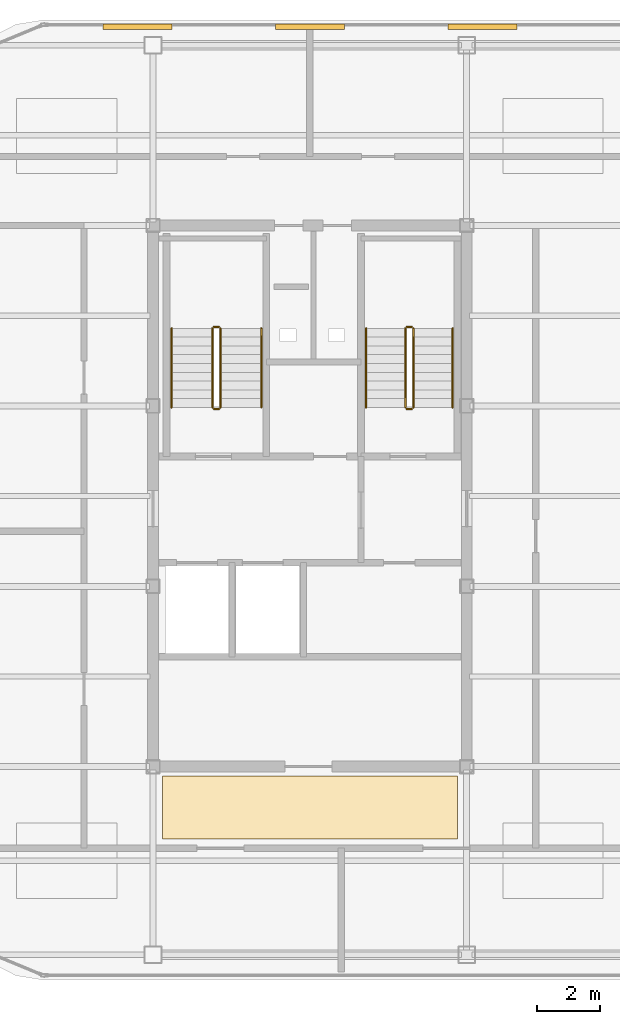
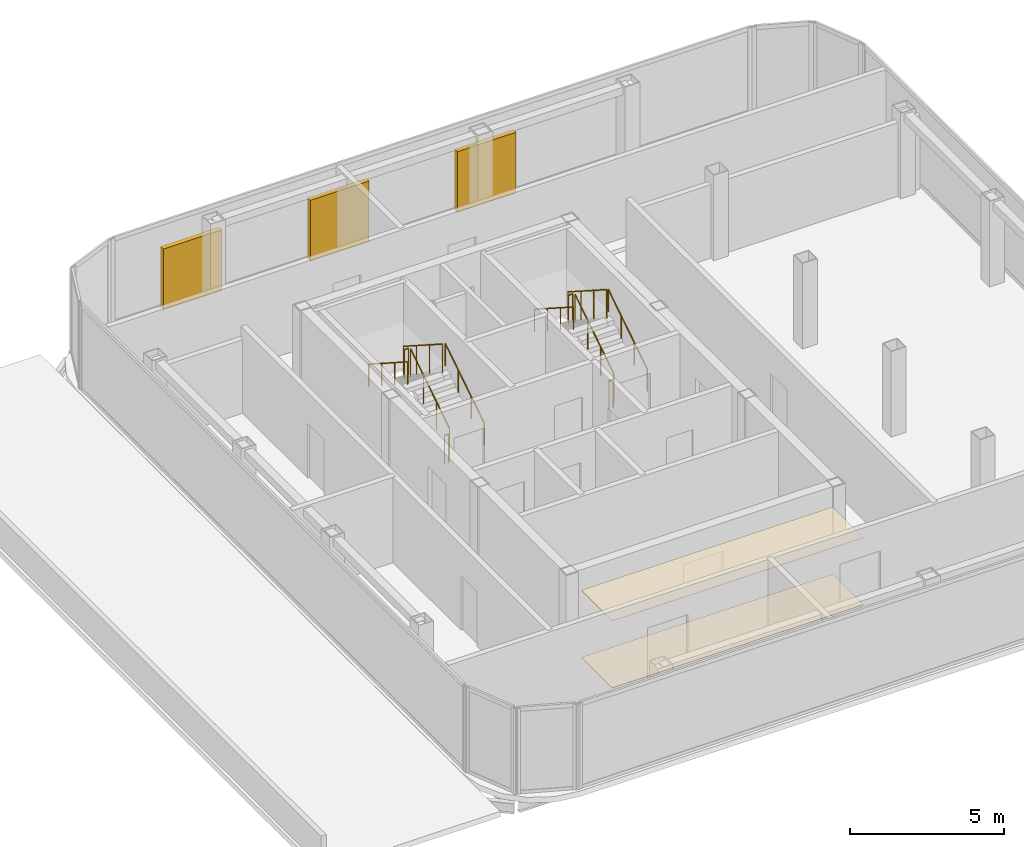
# One storey, part 11 of 11: 12 railings, 3 shading devices, 2 coverings.
"""IFC4 building model written with IfcOpenShell, lengths in metres."""

from ifc_helpers import new_model, si_unit, direction, frame, origin, origin_2d, place, context, subcontext, project, spatial, polyline, rectangle, circle, outline, extrude, source, transform, mapped, material, layer, layer_set, type_object, element, save


model = new_model("IFC4")

# Units and contexts
model_context = context("Model", 3, precision=1e-05, world=origin(), true_north=direction((0.0, 1.0)))
body_context = subcontext(model_context, "Body", "Model", "MODEL_VIEW")
ifc_project = project(units=[si_unit("LENGTHUNIT", "METRE"), si_unit("AREAUNIT", "SQUARE_METRE"), si_unit("VOLUMEUNIT", "CUBIC_METRE"), si_unit("PLANEANGLEUNIT", "RADIAN"), si_unit("MASSUNIT", "GRAM", prefix="KILO")], contexts=[model_context])

# Site, building, storey
site_placement = place(None, origin())
site = spatial("IfcSite", under=ifc_project, at=site_placement, CompositionType="ELEMENT")
building_placement = place(site_placement, origin())
building = spatial("IfcBuilding", under=site, at=building_placement, Name="Kolveth Station Tower", CompositionType="ELEMENT")
storey_placement = place(building_placement, frame((0.0, 0.0, 278.5)))
storey = spatial("IfcBuildingStorey", under=building, at=storey_placement, Name="L80", CompositionType="ELEMENT", Elevation=278.5)

# Coverings
ifc_material_1 = material(Name="Acoustic mineral-fibre ceiling tile")
ifc_layer_1 = layer(ifc_material_1, 0.02490234375)
ifc_layer_set_1 = layer_set([ifc_layer_1], Name="Acoustic mineral-fibre ceiling tile")
covering_type_1 = type_object("IfcCoveringType", Name="Ceil_CL1", PredefinedType="CEILING", material=ifc_layer_set_1)
covering_1_placement = place(storey_placement, frame((0.0, 0.0, 2.64990234375)))
element("IfcCovering", 1, at=covering_1_placement, inside=storey, type_object=covering_type_1, Name="L80 Lift Lobby Suspended Ceiling", PredefinedType="CEILING", context=body_context, shape_type="SweptSolid", body=[
    extrude(outline(polyline([(18.800048828125, 9.199951171875), (28.199951171875, 9.199951171875), (28.199951171875, 11.199951171875), (18.800048828125, 11.199951171875), (18.800048828125, 9.199951171875)])), origin(), (0.0, 0.0, 1.0), 0.025146484375),
])
ifc_material_2 = material(Name="Honed terrazzo flooring")
ifc_layer_2 = layer(ifc_material_2, 0.02001953125)
ifc_layer_set_2 = layer_set([ifc_layer_2], Name="Honed terrazzo flooring")
covering_type_2 = type_object("IfcCoveringType", Name="Floor_FL1", PredefinedType="FLOORING", material=ifc_layer_set_2)
covering_2_placement = place(storey_placement, origin())
element("IfcCovering", 2, at=covering_2_placement, inside=storey, type_object=covering_type_2, Name="L80 Lift Lobby Floor Finish", PredefinedType="FLOORING", context=body_context, shape_type="SweptSolid", body=[
    extrude(outline(polyline([(18.800048828125, 9.199951171875), (28.199951171875, 9.199951171875), (28.199951171875, 11.199951171875), (18.800048828125, 11.199951171875), (18.800048828125, 9.199951171875)])), origin(), (0.0, 0.0, 1.0), 0.02001953125),
])

# Railings
ifc_material_3 = material(Name="Painted Steel S355 balustrade", Category="steel")
railing_type_1 = type_object("IfcRailingType", Name="Guard_GR2", PredefinedType="BALUSTRADE", material=ifc_material_3)
railing_1_placement = place(storey_placement, frame((20.64990234375, 22.949951171875, 0.179931640625)))
element("IfcRailing", 3, at=railing_1_placement, inside=storey, type_object=railing_type_1, Name="L80 ST1 stair guard 1", PredefinedType="BALUSTRADE", context=body_context, shape_type="SweptSolid", body=[
    extrude(circle(Radius=0.02392578125, at=origin_2d()), frame((0.0, 0.0, 1.1259765625), z_axis=(0.0, 0.841162588446, 0.540782303519), x_axis=(-1.0, 0.0, 0.0)), (0.0, 0.0, 1.0), 2.995849609375),
    extrude(circle(Radius=0.02099609375, at=origin_2d()), origin(), (0.0, 0.0, 1.0), 1.101806640625),
    extrude(circle(Radius=0.02099609375, at=origin_2d()), frame((0.0, 0.840087890625, 0.5400390625)), (0.0, 0.0, 1.0), 1.101806640625),
    extrude(circle(Radius=0.02099609375, at=origin_2d()), frame((0.0, 1.679931640625, 1.080078125)), (0.0, 0.0, 1.0), 1.101806640625),
    extrude(circle(Radius=0.02099609375, at=origin_2d()), frame((0.0, 2.52001953125, 1.6201171875)), (0.0, 0.0, 1.0), 1.101806640625),
])
railing_2_placement = place(storey_placement, frame((20.60009765625, 25.52001953125, 1.800048828125)))
element("IfcRailing", 4, at=railing_2_placement, inside=storey, type_object=railing_type_1, Name="L80 ST1 stair guard 2", PredefinedType="BALUSTRADE", context=body_context, shape_type="SweptSolid", body=[
    extrude(circle(Radius=0.02392578125, at=origin_2d()), frame((0.0, 0.0, 1.1259765625), z_axis=(-1.0, 0.0, 0.0), x_axis=(0.0, -1.0, 0.0)), (0.0, 0.0, 1.0), 0.16015625),
    extrude(circle(Radius=0.02099609375, at=origin_2d()), origin(), (0.0, 0.0, 1.0), 1.101806640625),
    extrude(circle(Radius=0.02099609375, at=origin_2d()), frame((-0.16015625, 0.0, 0.0)), (0.0, 0.0, 1.0), 1.101806640625),
])
railing_3_placement = place(storey_placement, frame((20.389892578125, 25.469970703125, 1.97998046875)))
element("IfcRailing", 5, at=railing_3_placement, inside=storey, type_object=railing_type_1, Name="L80 ST1 stair guard 3", PredefinedType="BALUSTRADE", context=body_context, shape_type="SweptSolid", body=[
    extrude(circle(Radius=0.02392578125, at=origin_2d()), frame((0.0, 0.0, 1.1259765625), z_axis=(0.0, -0.841162588446, 0.540782303519), x_axis=(1.0, 0.0, 0.0)), (0.0, 0.0, 1.0), 2.995849609375),
    extrude(circle(Radius=0.02099609375, at=origin_2d()), origin(), (0.0, 0.0, 1.0), 1.101806640625),
    extrude(circle(Radius=0.02099609375, at=origin_2d()), frame((0.0, -0.840087890625, 0.5400390625)), (0.0, 0.0, 1.0), 1.101806640625),
    extrude(circle(Radius=0.02099609375, at=origin_2d()), frame((0.0, -1.679931640625, 1.080078125)), (0.0, 0.0, 1.0), 1.101806640625),
    extrude(circle(Radius=0.02099609375, at=origin_2d()), frame((0.0, -2.52001953125, 1.6201171875)), (0.0, 0.0, 1.0), 1.101806640625),
])
railing_4_placement = place(storey_placement, frame((20.60009765625, 22.89990234375, 0.0)))
element("IfcRailing", 6, at=railing_4_placement, inside=storey, type_object=railing_type_1, Name="L80 ST1 stair guard 4", PredefinedType="BALUSTRADE", context=body_context, shape_type="SweptSolid", body=[
    extrude(circle(Radius=0.02392578125, at=origin_2d()), frame((0.0, 0.0, 1.1259765625), z_axis=(-1.0, 0.0, 0.0), x_axis=(0.0, -1.0, 0.0)), (0.0, 0.0, 1.0), 0.16015625),
    extrude(circle(Radius=0.02099609375, at=origin_2d()), origin(), (0.0, 0.0, 1.0), 1.101806640625),
    extrude(circle(Radius=0.02099609375, at=origin_2d()), frame((-0.16015625, 0.0, 0.0)), (0.0, 0.0, 1.0), 1.101806640625),
])
railing_5_placement = place(storey_placement, frame((26.800048828125, 22.949951171875, 0.179931640625)))
element("IfcRailing", 7, at=railing_5_placement, inside=storey, type_object=railing_type_1, Name="L80 ST2 stair guard 1", PredefinedType="BALUSTRADE", context=body_context, shape_type="SweptSolid", body=[
    extrude(circle(Radius=0.02392578125, at=origin_2d()), frame((0.0, 0.0, 1.1259765625), z_axis=(0.0, 0.841162588446, 0.540782303519), x_axis=(-1.0, 0.0, 0.0)), (0.0, 0.0, 1.0), 2.995849609375),
    extrude(circle(Radius=0.02099609375, at=origin_2d()), origin(), (0.0, 0.0, 1.0), 1.101806640625),
    extrude(circle(Radius=0.02099609375, at=origin_2d()), frame((0.0, 0.840087890625, 0.5400390625)), (0.0, 0.0, 1.0), 1.101806640625),
    extrude(circle(Radius=0.02099609375, at=origin_2d()), frame((0.0, 1.679931640625, 1.080078125)), (0.0, 0.0, 1.0), 1.101806640625),
    extrude(circle(Radius=0.02099609375, at=origin_2d()), frame((0.0, 2.52001953125, 1.6201171875)), (0.0, 0.0, 1.0), 1.101806640625),
])
railing_6_placement = place(storey_placement, frame((26.75, 25.52001953125, 1.800048828125)))
element("IfcRailing", 8, at=railing_6_placement, inside=storey, type_object=railing_type_1, Name="L80 ST2 stair guard 2", PredefinedType="BALUSTRADE", context=body_context, shape_type="SweptSolid", body=[
    extrude(circle(Radius=0.02392578125, at=origin_2d()), frame((0.0, 0.0, 1.1259765625), z_axis=(-1.0, 0.0, 0.0), x_axis=(0.0, -1.0, 0.0)), (0.0, 0.0, 1.0), 0.159912109375),
    extrude(circle(Radius=0.02099609375, at=origin_2d()), origin(), (0.0, 0.0, 1.0), 1.101806640625),
    extrude(circle(Radius=0.02099609375, at=origin_2d()), frame((-0.159912109375, 0.0, 0.0)), (0.0, 0.0, 1.0), 1.101806640625),
])
railing_7_placement = place(storey_placement, frame((26.5400390625, 25.469970703125, 1.97998046875)))
element("IfcRailing", 9, at=railing_7_placement, inside=storey, type_object=railing_type_1, Name="L80 ST2 stair guard 3", PredefinedType="BALUSTRADE", context=body_context, shape_type="SweptSolid", body=[
    extrude(circle(Radius=0.02392578125, at=origin_2d()), frame((0.0, 0.0, 1.1259765625), z_axis=(0.0, -0.841162588446, 0.540782303519), x_axis=(1.0, 0.0, 0.0)), (0.0, 0.0, 1.0), 2.995849609375),
    extrude(circle(Radius=0.02099609375, at=origin_2d()), origin(), (0.0, 0.0, 1.0), 1.101806640625),
    extrude(circle(Radius=0.02099609375, at=origin_2d()), frame((0.0, -0.840087890625, 0.5400390625)), (0.0, 0.0, 1.0), 1.101806640625),
    extrude(circle(Radius=0.02099609375, at=origin_2d()), frame((0.0, -1.679931640625, 1.080078125)), (0.0, 0.0, 1.0), 1.101806640625),
    extrude(circle(Radius=0.02099609375, at=origin_2d()), frame((0.0, -2.52001953125, 1.6201171875)), (0.0, 0.0, 1.0), 1.101806640625),
])
railing_8_placement = place(storey_placement, frame((26.75, 22.89990234375, 0.0)))
element("IfcRailing", 10, at=railing_8_placement, inside=storey, type_object=railing_type_1, Name="L80 ST2 stair guard 4", PredefinedType="BALUSTRADE", context=body_context, shape_type="SweptSolid", body=[
    extrude(circle(Radius=0.02392578125, at=origin_2d()), frame((0.0, 0.0, 1.1259765625), z_axis=(-1.0, 0.0, 0.0), x_axis=(0.0, -1.0, 0.0)), (0.0, 0.0, 1.0), 0.159912109375),
    extrude(circle(Radius=0.02099609375, at=origin_2d()), origin(), (0.0, 0.0, 1.0), 1.101806640625),
    extrude(circle(Radius=0.02099609375, at=origin_2d()), frame((-0.159912109375, 0.0, 0.0)), (0.0, 0.0, 1.0), 1.101806640625),
])
ifc_material_4 = material(Name="Brushed stainless steel", Category="steel")
railing_type_2 = type_object("IfcRailingType", Name="Handrail_HR1", PredefinedType="HANDRAIL", material=ifc_material_4)
railing_9_placement = place(storey_placement, frame((21.949951171875, 22.949951171875, 0.179931640625)))
element("IfcRailing", 11, at=railing_9_placement, inside=storey, type_object=railing_type_2, Name="L80 ST1 stair handrail 1", PredefinedType="HANDRAIL", context=body_context, shape_type="SweptSolid", body=[
    extrude(circle(Radius=0.02392578125, at=origin_2d()), frame((0.0, 0.0, 0.8759765625), z_axis=(0.0, 0.841162588446, 0.540782303519), x_axis=(-1.0, 0.0, 0.0)), (0.0, 0.0, 1.0), 2.995849609375),
    extrude(circle(Radius=0.02099609375, at=origin_2d()), origin(), (0.0, 0.0, 1.0), 0.851806640625),
    extrude(circle(Radius=0.02099609375, at=origin_2d()), frame((0.0, 0.840087890625, 0.5400390625)), (0.0, 0.0, 1.0), 0.851806640625),
    extrude(circle(Radius=0.02099609375, at=origin_2d()), frame((0.0, 1.679931640625, 1.080078125)), (0.0, 0.0, 1.0), 0.851806640625),
    extrude(circle(Radius=0.02099609375, at=origin_2d()), frame((0.0, 2.52001953125, 1.6201171875)), (0.0, 0.0, 1.0), 0.851806640625),
])
railing_10_placement = place(storey_placement, frame((19.090087890625, 25.469970703125, 1.97998046875)))
element("IfcRailing", 12, at=railing_10_placement, inside=storey, type_object=railing_type_2, Name="L80 ST1 stair handrail 2", PredefinedType="HANDRAIL", context=body_context, shape_type="SweptSolid", body=[
    extrude(circle(Radius=0.02392578125, at=origin_2d()), frame((0.0, 0.0, 0.8759765625), z_axis=(0.0, -0.841162588446, 0.540782303519), x_axis=(1.0, 0.0, 0.0)), (0.0, 0.0, 1.0), 2.995849609375),
    extrude(circle(Radius=0.02099609375, at=origin_2d()), origin(), (0.0, 0.0, 1.0), 0.851806640625),
    extrude(circle(Radius=0.02099609375, at=origin_2d()), frame((0.0, -0.840087890625, 0.5400390625)), (0.0, 0.0, 1.0), 0.851806640625),
    extrude(circle(Radius=0.02099609375, at=origin_2d()), frame((0.0, -1.679931640625, 1.080078125)), (0.0, 0.0, 1.0), 0.851806640625),
    extrude(circle(Radius=0.02099609375, at=origin_2d()), frame((0.0, -2.52001953125, 1.6201171875)), (0.0, 0.0, 1.0), 0.851806640625),
])
railing_11_placement = place(storey_placement, frame((28.050048828125, 22.949951171875, 0.179931640625)))
element("IfcRailing", 13, at=railing_11_placement, inside=storey, type_object=railing_type_2, Name="L80 ST2 stair handrail 1", PredefinedType="HANDRAIL", context=body_context, shape_type="SweptSolid", body=[
    extrude(circle(Radius=0.02392578125, at=origin_2d()), frame((0.0, 0.0, 0.8759765625), z_axis=(0.0, 0.841162588446, 0.540782303519), x_axis=(-1.0, 0.0, 0.0)), (0.0, 0.0, 1.0), 2.995849609375),
    extrude(circle(Radius=0.02099609375, at=origin_2d()), origin(), (0.0, 0.0, 1.0), 0.851806640625),
    extrude(circle(Radius=0.02099609375, at=origin_2d()), frame((0.0, 0.840087890625, 0.5400390625)), (0.0, 0.0, 1.0), 0.851806640625),
    extrude(circle(Radius=0.02099609375, at=origin_2d()), frame((0.0, 1.679931640625, 1.080078125)), (0.0, 0.0, 1.0), 0.851806640625),
    extrude(circle(Radius=0.02099609375, at=origin_2d()), frame((0.0, 2.52001953125, 1.6201171875)), (0.0, 0.0, 1.0), 0.851806640625),
])
railing_12_placement = place(storey_placement, frame((25.2900390625, 25.469970703125, 1.97998046875)))
element("IfcRailing", 14, at=railing_12_placement, inside=storey, type_object=railing_type_2, Name="L80 ST2 stair handrail 2", PredefinedType="HANDRAIL", context=body_context, shape_type="SweptSolid", body=[
    extrude(circle(Radius=0.02392578125, at=origin_2d()), frame((0.0, 0.0, 0.8759765625), z_axis=(0.0, -0.841162588446, 0.540782303519), x_axis=(1.0, 0.0, 0.0)), (0.0, 0.0, 1.0), 2.995849609375),
    extrude(circle(Radius=0.02099609375, at=origin_2d()), origin(), (0.0, 0.0, 1.0), 0.851806640625),
    extrude(circle(Radius=0.02099609375, at=origin_2d()), frame((0.0, -0.840087890625, 0.5400390625)), (0.0, 0.0, 1.0), 0.851806640625),
    extrude(circle(Radius=0.02099609375, at=origin_2d()), frame((0.0, -1.679931640625, 1.080078125)), (0.0, 0.0, 1.0), 0.851806640625),
    extrude(circle(Radius=0.02099609375, at=origin_2d()), frame((0.0, -2.52001953125, 1.6201171875)), (0.0, 0.0, 1.0), 0.851806640625),
])

# Shading devices
ifc_material_5 = material(Name="Black anodized aluminium 6063-T6", Category="aluminium")
shading_device_type = type_object("IfcShadingDeviceType", Name="Louvre_LV1", PredefinedType="JALOUSIE", material=ifc_material_5)
shared_shape = source(origin(), body_context, "Body", "SweptSolid", [
    extrude(rectangle(XDim=2.199951171875, YDim=0.179931640625, at=origin_2d()), origin(), (0.0, 0.0, 1.0), 2.39990234375),
])
for number, where, z_axis, x_axis, name in (
    (15, (18.0, 35.080078125, 0.0), (0.0, 0.0, 1.0), (1.0, 0.0, 0.0), "L80 Crown Plant Louvre 1"),
    (16, (23.5, 35.080078125, 0.0), (0.0, 0.0, 1.0), (1.0, 0.0, 0.0), "L80 Crown Plant Louvre 2"),
    (17, (29.0, 35.080078125, 0.0), (0.0, 0.0, 1.0), (1.0, 0.0, 0.0), "L80 Crown Plant Louvre 3"),
):
    element("IfcShadingDevice", number, at=place(storey_placement, frame(where, z_axis=z_axis, x_axis=x_axis)), inside=storey, type_object=shading_device_type, Name=name, PredefinedType="JALOUSIE", context=body_context, shape_type="MappedRepresentation", body=[
        mapped(shared_shape, transform((0.0, 0.0, 0.0), x_axis=(1.0, 0.0, 0.0), y_axis=(0.0, 1.0, 0.0), z_axis=(0.0, 0.0, 1.0), scale=1.0)),
    ])

save(model, "model.ifc")
